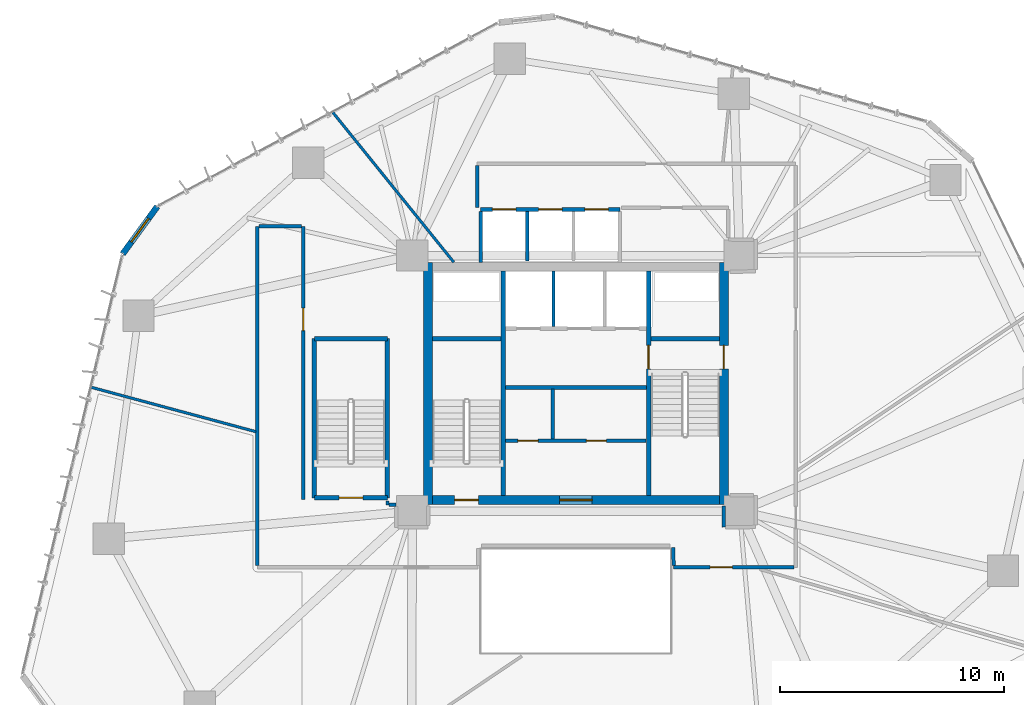
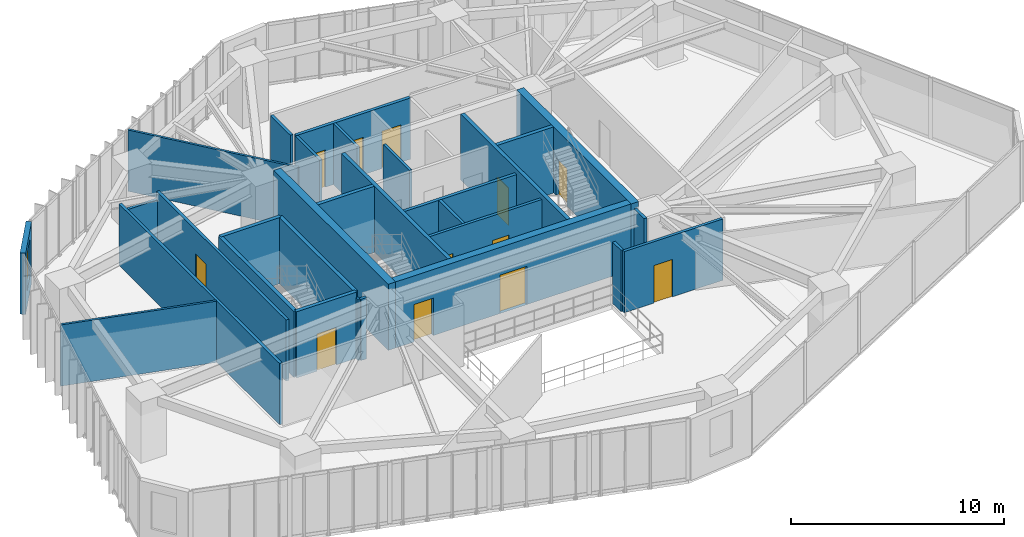
# One storey, part 19 of 24: 30 walls, 12 doors, 1 window, 13 openings.
"""IFC4 building model written with IfcOpenShell, lengths in metres."""

from ifc_helpers import new_model, si_unit, direction, frame, frame_2d, origin, place, context, subcontext, project, spatial, rectangle, extrude, source, transform, mapped, material, layer, layer_set, type_object, type_shapes, element, fill, save


model = new_model("IFC4")

# Units and contexts
model_context = context("Model", 3, precision=1e-05, world=origin(), true_north=direction((0.0, 1.0)))
body_context = subcontext(model_context, "Body", "Model", "MODEL_VIEW")
ifc_project = project(units=[si_unit("LENGTHUNIT", "METRE"), si_unit("AREAUNIT", "SQUARE_METRE"), si_unit("VOLUMEUNIT", "CUBIC_METRE"), si_unit("PLANEANGLEUNIT", "RADIAN"), si_unit("MASSUNIT", "GRAM", prefix="KILO")], contexts=[model_context])

# Site, building, storey
site_placement = place(None, origin())
site = spatial("IfcSite", under=ifc_project, at=site_placement, CompositionType="ELEMENT")
building_placement = place(site_placement, origin())
building = spatial("IfcBuilding", under=site, at=building_placement, Name="Talar Marvaseh", CompositionType="ELEMENT")
storey_placement = place(building_placement, frame((0.0, 0.0, 43.0)))
storey = spatial("IfcBuildingStorey", under=building, at=storey_placement, Name="L10", CompositionType="ELEMENT", Elevation=43.0)

# Wall, opening, window
ifc_material_1 = material(Name="Precast concrete C45/55", Category="concrete")
ifc_layer_1 = layer(ifc_material_1, 0.27001953125)
ifc_layer_set_1 = layer_set([ifc_layer_1], Name="Precast concrete C45/55")
wall_type_1 = type_object("IfcWallType", Name="Chamfered Hexagonal Corner Pier Wall Z1 270", PredefinedType="SOLIDWALL", material=ifc_layer_set_1)
wall_1_placement = place(storey_placement, frame((5.794677734375, 36.968994140625, 0.0), z_axis=(0.0, 0.0, 1.0), x_axis=(0.589570825428, 0.807716684119, 0.0)))
wall_1 = element("IfcWall", 1, at=wall_1_placement, inside=storey, type_object=wall_type_1, Name="L10 Chamfered Corner Limestone Pier 2", PredefinedType="SOLIDWALL", context=body_context, shape_type="SweptSolid", body=[
    extrude(rectangle(XDim=2.623291015625, YDim=0.27001953125, at=frame_2d((1.3115234375, 0.0))), origin(), (0.0, 0.0, 1.0), 3.52001953125),
])
opening_1_placement = place(wall_1_placement, frame((0.662109375, 0.0, 0.89990234375)))
opening_1 = element("IfcOpeningElement", 2, at=opening_1_placement, cuts=wall_1, Name="Opening WN-CHM13", PredefinedType="OPENING", context=body_context, shape_type="SweptSolid", body=[
    extrude(rectangle(XDim=1.300048828125, YDim=2.14990234375, at=frame_2d((0.64990234375, 1.074951171875))), frame((0.0, 0.14501953125, 0.0), z_axis=(0.0, -1.0, 0.0), x_axis=(1.0, 0.0, 0.0)), (0.0, 0.0, 1.0), 0.2900390625),
])
ifc_material_2 = material(Name="Laminated Low-E Solar Glass", Category="glass")
window_type = type_object("IfcWindowType", Name="Zone 1 Chamfered Corner Slot Window 1300x2150", PartitioningType="SINGLE_PANEL", PredefinedType="WINDOW", material=ifc_material_2)
shared_shape_1 = source(origin(), body_context, "Body", "SweptSolid", [
    extrude(rectangle(XDim=1.300048828125, YDim=2.14990234375, at=frame_2d((0.64990234375, 1.074951171875))), frame((0.0, 0.030029296875, 0.0), z_axis=(0.0, -1.0, 0.0), x_axis=(1.0, 0.0, 0.0)), (0.0, 0.0, 1.0), 0.06005859375),
])
type_shapes(window_type, [shared_shape_1])
window_placement = place(opening_1_placement, origin())
window = element("IfcWindow", 3, at=window_placement, inside=storey, type_object=window_type, Name="L10 Chamfered Corner Slot Window", OverallHeight=2.14990234375, OverallWidth=1.300048828125, PartitioningType="SINGLE_PANEL", PredefinedType="WINDOW", context=body_context, shape_type="MappedRepresentation", body=[
    mapped(shared_shape_1, transform((0.0, 0.0, 0.0), x_axis=(1.0, 0.0, 0.0), y_axis=(0.0, 1.0, 0.0), z_axis=(0.0, 0.0, 1.0), scale=1.0)),
])
fill(opening_1, window)

# Wall, openings, doors
ifc_material_3 = material(Name="Gypsum Board Partition Assembly")
ifc_layer_2 = layer(ifc_material_3, 0.155029296875)
ifc_layer_set_2 = layer_set([ifc_layer_2], Name="Gypsum Board Partition Assembly")
wall_type_2 = type_object("IfcWallType", Name="Corridor Fire-Rated Acoustic Partition 155", PredefinedType="PARTITIONING", material=ifc_layer_set_2)
wall_2_placement = place(storey_placement, frame((22.865966796875, 28.639892578125, 0.0), z_axis=(0.0, 0.0, 1.0), x_axis=(1.0, 0.0, 0.0)))
wall_2 = element("IfcWall", 4, at=wall_2_placement, inside=storey, type_object=wall_type_2, Name="L10 Core BOH Partition", PredefinedType="PARTITIONING", context=body_context, shape_type="SweptSolid", body=[
    extrude(rectangle(XDim=6.26806640625, YDim=0.155029296875, at=frame_2d((3.134033203125, 0.0))), origin(), (0.0, 0.0, 1.0), 3.52001953125),
])
opening_2_placement = place(wall_2_placement, frame((0.550048828125, 0.0, 0.0)))
opening_2 = element("IfcOpeningElement", 5, at=opening_2_placement, cuts=wall_2, Name="Opening DR-BOH090", PredefinedType="OPENING", context=body_context, shape_type="SweptSolid", body=[
    extrude(rectangle(XDim=0.89990234375, YDim=2.10009765625, at=frame_2d((0.449951171875, 1.050048828125))), frame((0.0, 0.08740234375, 0.0), z_axis=(0.0, -1.0, 0.0), x_axis=(1.0, 0.0, 0.0)), (0.0, 0.0, 1.0), 0.175048828125),
])
opening_3_placement = place(wall_2_placement, frame((3.60009765625, 0.0, 0.0)))
opening_3 = element("IfcOpeningElement", 6, at=opening_3_placement, cuts=wall_2, Name="Opening DR-BOH090", PredefinedType="OPENING", context=body_context, shape_type="SweptSolid", body=[
    extrude(rectangle(XDim=0.89990234375, YDim=2.10009765625, at=frame_2d((0.449951171875, 1.050048828125))), frame((0.0, 0.08740234375, 0.0), z_axis=(0.0, -1.0, 0.0), x_axis=(1.0, 0.0, 0.0)), (0.0, 0.0, 1.0), 0.175048828125),
])
ifc_material_4 = material(Name="Fire-Rated Steel Door Leaf", Category="steel")
door_type_1 = type_object("IfcDoorType", Name="Core Back-of-House Service Door 900x2100", OperationType="NOTDEFINED", PredefinedType="DOOR", material=ifc_material_4)
shared_shape_2 = source(origin(), body_context, "Body", "SweptSolid", [
    extrude(rectangle(XDim=0.89990234375, YDim=2.10009765625, at=frame_2d((0.449951171875, 1.050048828125))), frame((0.0, 0.02490234375, 0.0), z_axis=(0.0, -1.0, 0.0), x_axis=(1.0, 0.0, 0.0)), (0.0, 0.0, 1.0), 0.050048828125),
])
type_shapes(door_type_1, [shared_shape_2])
door_1_placement = place(opening_2_placement, origin())
door_1 = element("IfcDoor", 7, at=door_1_placement, inside=storey, type_object=door_type_1, Name="L10 Cleaner Janitor Store Door", OperationType="SINGLE_SWING_LEFT", OverallHeight=2.10009765625, OverallWidth=0.89990234375, PredefinedType="DOOR", context=body_context, shape_type="MappedRepresentation", body=[
    mapped(shared_shape_2, transform((0.0, 0.0, 0.0), x_axis=(1.0, 0.0, 0.0), y_axis=(0.0, 1.0, 0.0), z_axis=(0.0, 0.0, 1.0), scale=1.0)),
])
fill(opening_2, door_1)
door_2_placement = place(opening_3_placement, origin())
door_2 = element("IfcDoor", 8, at=door_2_placement, inside=storey, type_object=door_type_1, Name="L10 Plant Core Electrical Meter Room Door", OperationType="SINGLE_SWING_RIGHT", OverallHeight=2.10009765625, OverallWidth=0.89990234375, PredefinedType="DOOR", context=body_context, shape_type="MappedRepresentation", body=[
    mapped(shared_shape_2, transform((0.0, 0.0, 0.0), x_axis=(1.0, 0.0, 0.0), y_axis=(0.0, 1.0, 0.0), z_axis=(0.0, 0.0, 1.0), scale=1.0)),
])
fill(opening_3, door_2)

# Wall
wall_3_placement = place(storey_placement, frame((24.97998046875, 28.719970703125, 0.0), z_axis=(0.0, 0.0, 1.0), x_axis=(0.0, 1.0, 0.0)))
element("IfcWall", 9, at=wall_3_placement, inside=storey, type_object=wall_type_2, Name="L10 Core BOH Partition", PredefinedType="PARTITIONING", context=body_context, shape_type="SweptSolid", body=[
    extrude(rectangle(XDim=2.219970703125, YDim=0.155029296875, at=frame_2d((1.10986328125, 0.0))), origin(), (0.0, 0.0, 1.0), 3.52001953125),
])

# Wall, opening, door
wall_4_placement = place(storey_placement, frame((13.85009765625, 38.199951171875, 0.0), z_axis=(0.0, 0.0, 1.0), x_axis=(0.0, -1.0, 0.0)))
wall_4 = element("IfcWall", 10, at=wall_4_placement, inside=storey, type_object=wall_type_2, Name="L10 Interior Partition Wall", PredefinedType="PARTITIONING", context=body_context, shape_type="SweptSolid", body=[
    extrude(rectangle(XDim=12.179931640625, YDim=0.155029296875, at=frame_2d((6.08984375, 0.0))), origin(), (0.0, 0.0, 1.0), 3.52001953125),
])
opening_4_placement = place(wall_4_placement, frame((3.644287109375, 0.0, 0.0)))
opening_4 = element("IfcOpeningElement", 11, at=opening_4_placement, cuts=wall_4, Name="Opening DR-RM100", PredefinedType="OPENING", context=body_context, shape_type="SweptSolid", body=[
    extrude(rectangle(XDim=1.0, YDim=2.14990234375, at=frame_2d((0.5, 1.074951171875))), frame((0.0, 0.08740234375, 0.0), z_axis=(0.0, -1.0, 0.0), x_axis=(1.0, 0.0, 0.0)), (0.0, 0.0, 1.0), 0.175048828125),
])
ifc_material_5 = material(Name="Acoustic Engineered Oak Timber", Category="wood")
door_type_2 = type_object("IfcDoorType", Name="Corridor Fire-Rated Gallery Door 1000x2150", OperationType="NOTDEFINED", PredefinedType="DOOR", material=ifc_material_5)
shared_shape_3 = source(origin(), body_context, "Body", "SweptSolid", [
    extrude(rectangle(XDim=1.0, YDim=2.14990234375, at=frame_2d((0.5, 1.074951171875))), frame((0.0, 0.02490234375, 0.0), z_axis=(0.0, -1.0, 0.0), x_axis=(1.0, 0.0, 0.0)), (0.0, 0.0, 1.0), 0.050048828125),
])
type_shapes(door_type_2, [shared_shape_3])
door_3_placement = place(opening_4_placement, origin())
door_3 = element("IfcDoor", 12, at=door_3_placement, inside=storey, type_object=door_type_2, Name="L10 Chamber Recital Salon Door", OperationType="SINGLE_SWING_LEFT", OverallHeight=2.14990234375, OverallWidth=1.0, PredefinedType="DOOR", context=body_context, shape_type="MappedRepresentation", body=[
    mapped(shared_shape_3, transform((0.0, 0.0, 0.0), x_axis=(1.0, 0.0, 0.0), y_axis=(0.0, 1.0, 0.0), z_axis=(0.0, 0.0, 1.0), scale=1.0)),
])
fill(opening_4, door_3)

wall_5_placement = place(storey_placement, frame((35.716552734375, 23.0, 0.0), z_axis=(0.0, 0.0, 1.0), x_axis=(-1.0, 0.0, 0.0)))
wall_5 = element("IfcWall", 13, at=wall_5_placement, inside=storey, type_object=wall_type_2, Name="L10 Interior Partition Wall", PredefinedType="PARTITIONING", context=body_context, shape_type="SweptSolid", body=[
    extrude(rectangle(XDim=5.3564453125, YDim=0.155029296875, at=frame_2d((2.67822265625, 0.0))), origin(), (0.0, 0.0, 1.0), 3.52001953125),
])
opening_5_placement = place(wall_5_placement, frame((2.735107421875, 0.0, 0.0)))
opening_5 = element("IfcOpeningElement", 14, at=opening_5_placement, cuts=wall_5, Name="Opening DR-RM100", PredefinedType="OPENING", context=body_context, shape_type="SweptSolid", body=[
    extrude(rectangle(XDim=1.0, YDim=2.14990234375, at=frame_2d((0.5, 1.074951171875))), frame((0.0, 0.08740234375, 0.0), z_axis=(0.0, -1.0, 0.0), x_axis=(1.0, 0.0, 0.0)), (0.0, 0.0, 1.0), 0.175048828125),
])
door_4_placement = place(opening_5_placement, origin())
door_4 = element("IfcDoor", 15, at=door_4_placement, inside=storey, type_object=door_type_2, Name="L10 Seminar Room Door", OperationType="SINGLE_SWING_RIGHT", OverallHeight=2.14990234375, OverallWidth=1.0, PredefinedType="DOOR", context=body_context, shape_type="MappedRepresentation", body=[
    mapped(shared_shape_3, transform((0.0, 0.0, 0.0), x_axis=(1.0, 0.0, 0.0), y_axis=(0.0, 1.0, 0.0), z_axis=(0.0, 0.0, 1.0), scale=1.0)),
])
fill(opening_5, door_4)

# Walls
wall_6_placement = place(storey_placement, frame((11.800048828125, 23.08349609375, 0.0), z_axis=(0.0, 0.0, 1.0), x_axis=(0.0, 1.0, 0.0)))
element("IfcWall", 16, at=wall_6_placement, inside=storey, type_object=wall_type_2, Name="L10 Interior Partition Wall", PredefinedType="PARTITIONING", context=body_context, shape_type="SweptSolid", body=[
    extrude(rectangle(XDim=15.116455078125, YDim=0.155029296875, at=frame_2d((7.55810546875, 0.0))), origin(), (0.0, 0.0, 1.0), 3.52001953125),
])
wall_7_placement = place(storey_placement, frame((11.883544921875, 38.199951171875, 0.0), z_axis=(0.0, 0.0, 1.0), x_axis=(1.0, 0.0, 0.0)))
element("IfcWall", 17, at=wall_7_placement, inside=storey, type_object=wall_type_2, Name="L10 Interior Partition Wall", PredefinedType="PARTITIONING", context=body_context, shape_type="SweptSolid", body=[
    extrude(rectangle(XDim=1.883056640625, YDim=0.155029296875, at=frame_2d((0.94140625, 0.0))), origin(), (0.0, 0.0, 1.0), 3.08203125),
])
wall_8_placement = place(storey_placement, frame((17.666015625, 25.800048828125, 0.0), z_axis=(0.0, 0.0, 1.0), x_axis=(1.0, 0.0, 0.0)))
element("IfcWall", 18, at=wall_8_placement, inside=storey, type_object=wall_type_2, Name="L10 Interior Partition Wall", PredefinedType="PARTITIONING", context=body_context, shape_type="SweptSolid", body=[
    extrude(rectangle(XDim=0.319091796875, YDim=0.155029296875, at=frame_2d((0.15966796875, 0.0))), origin(), (0.0, 0.0, 1.0), 3.52001953125),
])
wall_9_placement = place(storey_placement, frame((32.5849609375, 25.72998046875, 0.0), z_axis=(0.0, 0.0, 1.0), x_axis=(0.007253695172, -0.999973691607, 0.0)))
element("IfcWall", 19, at=wall_9_placement, inside=storey, type_object=wall_type_2, Name="L10 Interior Partition Wall", PredefinedType="PARTITIONING", context=body_context, shape_type="SweptSolid", body=[
    extrude(rectangle(XDim=0.9423828125, YDim=0.155029296875, at=frame_2d((0.47119140625, 0.0))), origin(), (0.0, 0.0, 1.0), 3.52001953125),
])
wall_10_placement = place(storey_placement, frame((21.60009765625, 39.0400390625, 0.0), z_axis=(0.0, 0.0, 1.0), x_axis=(0.0, 1.0, 0.0)))
element("IfcWall", 20, at=wall_10_placement, inside=storey, type_object=wall_type_2, Name="L10 Interior Partition Wall", PredefinedType="PARTITIONING", context=body_context, shape_type="SweptSolid", body=[
    extrude(rectangle(XDim=1.87646484375, YDim=0.155029296875, at=frame_2d((0.938232421875, 0.0))), origin(), (0.0, 0.0, 1.0), 3.52001953125),
])
wall_11_placement = place(storey_placement, frame((30.358154296875, 23.08349609375, 0.0), z_axis=(0.0, 0.0, 1.0), x_axis=(-0.021573276475, 0.999767269789, 0.0)))
element("IfcWall", 21, at=wall_11_placement, inside=storey, type_object=wall_type_2, Name="L10 Interior Partition Wall", PredefinedType="PARTITIONING", context=body_context, shape_type="SweptSolid", body=[
    extrude(rectangle(XDim=0.792236328125, YDim=0.155029296875, at=frame_2d((0.39599609375, 0.0))), origin(), (0.0, 0.0, 1.0), 3.52001953125),
])
ifc_layer_3 = layer(ifc_material_3, 0.1201171875)
ifc_layer_set_3 = layer_set([ifc_layer_3], Name="Gypsum Board Partition Assembly")
wall_type_3 = type_object("IfcWallType", Name="Demountable Studio Room Partition 120", PredefinedType="PARTITIONING", material=ifc_layer_set_3)
wall_12_placement = place(storey_placement, frame((17.60009765625, 25.96240234375, 0.0), z_axis=(0.0, 0.0, 1.0), x_axis=(0.0, -1.0, 0.0)))
element("IfcWall", 22, at=wall_12_placement, inside=storey, type_object=wall_type_3, Name="L10 Interior Partition Wall", PredefinedType="PARTITIONING", context=body_context, shape_type="SweptSolid", body=[
    extrude(rectangle(XDim=0.1748046875, YDim=0.1201171875, at=frame_2d((0.08740234375, 0.0))), origin(), (0.0, 0.0, 1.0), 3.52001953125),
])
wall_13_placement = place(storey_placement, frame((4.3994140625, 31.02587890625, 0.0), z_axis=(0.0, 0.0, 1.0), x_axis=(0.965502770117, -0.260392781959, 0.0)))
element("IfcWall", 23, at=wall_13_placement, inside=storey, type_object=wall_type_3, Name="L10 Interior Partition Wall", PredefinedType="PARTITIONING", context=body_context, shape_type="SweptSolid", body=[
    extrude(rectangle(XDim=7.60009765625, YDim=0.1201171875, at=frame_2d((3.800048828125, 0.0))), origin(), (0.0, 0.0, 1.0), 3.52001953125),
])
wall_14_placement = place(storey_placement, frame((20.56005859375, 36.60009765625, 0.0), z_axis=(0.0, 0.0, 1.0), x_axis=(-0.628193514142, 0.778057137227, 0.0)))
element("IfcWall", 24, at=wall_14_placement, inside=storey, type_object=wall_type_3, Name="L10 Interior Partition Wall", PredefinedType="PARTITIONING", context=body_context, shape_type="SweptSolid", body=[
    extrude(rectangle(XDim=8.588623046875, YDim=0.1201171875, at=frame_2d((4.29443359375, 0.0))), origin(), (0.0, 0.0, 1.0), 3.52001953125),
])
ifc_layer_4 = layer(ifc_material_1, 0.14501953125)
ifc_layer_set_4 = layer_set([ifc_layer_4], Name="Precast concrete C45/55")
wall_type_4 = type_object("IfcWallType", Name="Fire-Rated Lift Divider Wall 145", PredefinedType="SOLIDWALL", material=ifc_layer_set_4)
wall_15_placement = place(storey_placement, frame((25.0, 33.743408203125, 0.0), z_axis=(0.0, 0.0, 1.0), x_axis=(0.0, 1.0, 0.0)))
element("IfcWall", 25, at=wall_15_placement, inside=storey, type_object=wall_type_4, Name="L10 FFL-1/FFL-2 Divider", PredefinedType="SOLIDWALL", context=body_context, shape_type="SweptSolid", body=[
    extrude(rectangle(XDim=2.45654296875, YDim=0.14501953125, at=frame_2d((1.228271484375, 0.0))), origin(), (0.0, 0.0, 1.0), 3.52001953125),
])
wall_16_placement = place(storey_placement, frame((21.760009765625, 36.60009765625, 0.0), z_axis=(0.0, 0.0, 1.0), x_axis=(0.0, 1.0, 0.0)))
element("IfcWall", 26, at=wall_16_placement, inside=storey, type_object=wall_type_4, Name="L10 Low-Rise Bank West Wall", PredefinedType="SOLIDWALL", context=body_context, shape_type="SweptSolid", body=[
    extrude(rectangle(XDim=2.266357421875, YDim=0.14501953125, at=frame_2d((1.13330078125, 0.0))), origin(), (0.0, 0.0, 1.0), 3.52001953125),
])
wall_17_placement = place(storey_placement, frame((23.830078125, 36.659912109375, 0.0), z_axis=(0.0, 0.0, 1.0), x_axis=(0.0, 1.0, 0.0)))
element("IfcWall", 27, at=wall_17_placement, inside=storey, type_object=wall_type_4, Name="L10 PL-L1/PL-L2 Divider", PredefinedType="SOLIDWALL", context=body_context, shape_type="SweptSolid", body=[
    extrude(rectangle(XDim=2.20654296875, YDim=0.14501953125, at=frame_2d((1.103271484375, 0.0))), origin(), (0.0, 0.0, 1.0), 3.52001953125),
])
ifc_layer_5 = layer(ifc_material_1, 0.175048828125)
ifc_layer_set_5 = layer_set([ifc_layer_5], Name="Precast concrete C45/55")
wall_type_5 = type_object("IfcWallType", Name="Fire-Rated Lift Hoistway Enclosure Wall 175", PredefinedType="SOLIDWALL", material=ifc_layer_set_5)
wall_18_placement = place(storey_placement, frame((22.860107421875, 31.02001953125, 0.0), z_axis=(0.0, 0.0, 1.0), x_axis=(1.0, 0.0, 0.0)))
element("IfcWall", 28, at=wall_18_placement, inside=storey, type_object=wall_type_5, Name="L10 Firefighting Lobby South Smoke Wall", PredefinedType="SOLIDWALL", context=body_context, shape_type="SweptSolid", body=[
    extrude(rectangle(XDim=6.27978515625, YDim=0.175048828125, at=frame_2d((3.139892578125, 0.0))), origin(), (0.0, 0.0, 1.0), 3.52001953125),
])

# Wall, openings, doors
wall_19_placement = place(storey_placement, frame((21.760009765625, 38.9599609375, 0.0), z_axis=(0.0, 0.0, 1.0), x_axis=(1.0, 0.0, 0.0)))
wall_19 = element("IfcWall", 29, at=wall_19_placement, inside=storey, type_object=wall_type_5, Name="L10 Low-Rise Lift Bank Front Wall", PredefinedType="SOLIDWALL", context=body_context, shape_type="SweptSolid", body=[
    extrude(rectangle(XDim=6.199951171875, YDim=0.175048828125, at=frame_2d((3.10009765625, 0.0))), origin(), (0.0, 0.0, 1.0), 3.52001953125),
])
opening_6_placement = place(wall_19_placement, frame((0.52001953125, 0.0, 0.0)))
opening_6 = element("IfcOpeningElement", 30, at=opening_6_placement, cuts=wall_19, Name="Opening LD-PLL1", PredefinedType="OPENING", context=body_context, shape_type="SweptSolid", body=[
    extrude(rectangle(XDim=1.050048828125, YDim=2.14990234375, at=frame_2d((0.52490234375, 1.074951171875))), frame((0.0, 0.09765625, 0.0), z_axis=(0.0, -1.0, 0.0), x_axis=(1.0, 0.0, 0.0)), (0.0, 0.0, 1.0), 0.195068359375),
])
opening_7_placement = place(wall_19_placement, frame((2.580078125, 0.0, 0.0)))
opening_7 = element("IfcOpeningElement", 31, at=opening_7_placement, cuts=wall_19, Name="Opening LD-PLL2", PredefinedType="OPENING", context=body_context, shape_type="SweptSolid", body=[
    extrude(rectangle(XDim=1.050048828125, YDim=2.14990234375, at=frame_2d((0.52490234375, 1.074951171875))), frame((0.0, 0.09765625, 0.0), z_axis=(0.0, -1.0, 0.0), x_axis=(1.0, 0.0, 0.0)), (0.0, 0.0, 1.0), 0.195068359375),
])
opening_8_placement = place(wall_19_placement, frame((4.639892578125, 0.0, 0.0)))
opening_8 = element("IfcOpeningElement", 32, at=opening_8_placement, cuts=wall_19, Name="Opening LD-PLL3", PredefinedType="OPENING", context=body_context, shape_type="SweptSolid", body=[
    extrude(rectangle(XDim=1.050048828125, YDim=2.14990234375, at=frame_2d((0.52490234375, 1.074951171875))), frame((0.0, 0.09765625, 0.0), z_axis=(0.0, -1.0, 0.0), x_axis=(1.0, 0.0, 0.0)), (0.0, 0.0, 1.0), 0.195068359375),
])
ifc_material_6 = material(Name="Stainless Steel Grade 316", Category="steel")
door_type_3 = type_object("IfcDoorType", Name="Automatic Sliding Lift Landing Door 1050x2150", OperationType="NOTDEFINED", PredefinedType="DOOR", material=ifc_material_6)
shared_shape_4 = source(origin(), body_context, "Body", "SweptSolid", [
    extrude(rectangle(XDim=1.050048828125, YDim=2.14990234375, at=frame_2d((0.52490234375, 1.074951171875))), frame((0.0, 0.02490234375, 0.0), z_axis=(0.0, -1.0, 0.0), x_axis=(1.0, 0.0, 0.0)), (0.0, 0.0, 1.0), 0.050048828125),
])
type_shapes(door_type_3, [shared_shape_4])
door_5_placement = place(opening_6_placement, origin())
door_5 = element("IfcDoor", 33, at=door_5_placement, inside=storey, type_object=door_type_3, Name="L10 Lift PL-L1 Sliding Landing Door", OperationType="SLIDING_TO_LEFT", OverallHeight=2.14990234375, OverallWidth=1.050048828125, PredefinedType="DOOR", context=body_context, shape_type="MappedRepresentation", body=[
    mapped(shared_shape_4, transform((0.0, 0.0, 0.0), x_axis=(1.0, 0.0, 0.0), y_axis=(0.0, 1.0, 0.0), z_axis=(0.0, 0.0, 1.0), scale=1.0)),
])
fill(opening_6, door_5)
door_6_placement = place(opening_7_placement, origin())
door_6 = element("IfcDoor", 34, at=door_6_placement, inside=storey, type_object=door_type_3, Name="L10 Lift PL-L2 Sliding Landing Door", OperationType="SLIDING_TO_LEFT", OverallHeight=2.14990234375, OverallWidth=1.050048828125, PredefinedType="DOOR", context=body_context, shape_type="MappedRepresentation", body=[
    mapped(shared_shape_4, transform((0.0, 0.0, 0.0), x_axis=(1.0, 0.0, 0.0), y_axis=(0.0, 1.0, 0.0), z_axis=(0.0, 0.0, 1.0), scale=1.0)),
])
fill(opening_7, door_6)
door_7_placement = place(opening_8_placement, origin())
door_7 = element("IfcDoor", 35, at=door_7_placement, inside=storey, type_object=door_type_3, Name="L10 Lift PL-L3 Sliding Landing Door", OperationType="SLIDING_TO_LEFT", OverallHeight=2.14990234375, OverallWidth=1.050048828125, PredefinedType="DOOR", context=body_context, shape_type="MappedRepresentation", body=[
    mapped(shared_shape_4, transform((0.0, 0.0, 0.0), x_axis=(1.0, 0.0, 0.0), y_axis=(0.0, 1.0, 0.0), z_axis=(0.0, 0.0, 1.0), scale=1.0)),
])
fill(opening_8, door_7)

# Wall
ifc_material_7 = material(Name="Concrete C70/85", Category="concrete")
ifc_layer_6 = layer(ifc_material_7, 0.39990234375)
ifc_layer_set_6 = layer_set([ifc_layer_6], Name="Concrete C70/85")
wall_type_6 = type_object("IfcWallType", Name="Lower Core Reinforced Concrete Shear Wall 400", PredefinedType="SHEAR", material=ifc_layer_set_6)
wall_20_placement = place(storey_placement, frame((19.39990234375, 25.800048828125, 0.0), z_axis=(0.0, 0.0, 1.0), x_axis=(0.0, 1.0, 0.0)))
element("IfcWall", 36, at=wall_20_placement, inside=storey, type_object=wall_type_6, Name="L10 West Core Shear Wall", PredefinedType="SHEAR", context=body_context, shape_type="SweptSolid", body=[
    extrude(rectangle(XDim=10.800048828125, YDim=0.39990234375, at=frame_2d((5.39990234375, 0.0))), origin(), (0.0, 0.0, 1.0), 3.800048828125),
])

# Wall, opening, door
wall_21_placement = place(storey_placement, frame((32.60009765625, 36.60009765625, 0.0), z_axis=(0.0, 0.0, 1.0), x_axis=(0.0, -1.0, 0.0)))
wall_21 = element("IfcWall", 37, at=wall_21_placement, inside=storey, type_object=wall_type_6, Name="L10 East Core Shear Wall", PredefinedType="SHEAR", context=body_context, shape_type="SweptSolid", body=[
    extrude(rectangle(XDim=10.800048828125, YDim=0.39990234375, at=frame_2d((5.39990234375, 0.0))), origin(), (0.0, 0.0, 1.0), 3.800048828125),
])
opening_9_placement = place(wall_21_placement, frame((3.699951171875, 0.0, 0.0)))
opening_9 = element("IfcOpeningElement", 38, at=opening_9_placement, cuts=wall_21, Name="Opening DR-ST105", PredefinedType="OPENING", context=body_context, shape_type="SweptSolid", body=[
    extrude(rectangle(XDim=1.050048828125, YDim=2.14990234375, at=frame_2d((0.52490234375, 1.074951171875))), frame((0.0, 0.2099609375, 0.0), z_axis=(0.0, -1.0, 0.0), x_axis=(1.0, 0.0, 0.0)), (0.0, 0.0, 1.0), 0.419921875),
])
door_type_4 = type_object("IfcDoorType", Name="Protected Exit Stair Fire Door 1050x2150", OperationType="NOTDEFINED", PredefinedType="DOOR", material=ifc_material_4)
shared_shape_5 = source(origin(), body_context, "Body", "SweptSolid", [
    extrude(rectangle(XDim=1.050048828125, YDim=2.14990234375, at=frame_2d((0.52490234375, 1.074951171875))), frame((0.0, 0.02490234375, 0.0), z_axis=(0.0, -1.0, 0.0), x_axis=(1.0, 0.0, 0.0)), (0.0, 0.0, 1.0), 0.050048828125),
])
type_shapes(door_type_4, [shared_shape_5])
door_8_placement = place(opening_9_placement, origin())
door_8 = element("IfcDoor", 39, at=door_8_placement, inside=storey, type_object=door_type_4, Name="L10 Stair ST-2 Corridor Exit Door", OperationType="SINGLE_SWING_LEFT", OverallHeight=2.14990234375, OverallWidth=1.050048828125, PredefinedType="DOOR", context=body_context, shape_type="MappedRepresentation", body=[
    mapped(shared_shape_5, transform((0.0, 0.0, 0.0), x_axis=(1.0, 0.0, 0.0), y_axis=(0.0, 1.0, 0.0), z_axis=(0.0, 0.0, 1.0), scale=1.0)),
])
fill(opening_9, door_8)

# Wall, openings, doors
wall_22_placement = place(storey_placement, frame((32.39990234375, 26.0, 0.0), z_axis=(0.0, 0.0, 1.0), x_axis=(-1.0, 0.0, 0.0)))
wall_22 = element("IfcWall", 40, at=wall_22_placement, inside=storey, type_object=wall_type_6, Name="L10 South Core Shear Wall", PredefinedType="SHEAR", context=body_context, shape_type="SweptSolid", body=[
    extrude(rectangle(XDim=12.7998046875, YDim=0.39990234375, at=frame_2d((6.39990234375, 0.0))), origin(), (0.0, 0.0, 1.0), 3.800048828125),
])
opening_10_placement = place(wall_22_placement, frame((10.75, 0.0, 0.0)))
opening_10 = element("IfcOpeningElement", 41, at=opening_10_placement, cuts=wall_22, Name="Opening DR-ST105", PredefinedType="OPENING", context=body_context, shape_type="SweptSolid", body=[
    extrude(rectangle(XDim=1.050048828125, YDim=2.14990234375, at=frame_2d((0.52490234375, 1.074951171875))), frame((0.0, 0.2099609375, 0.0), z_axis=(0.0, -1.0, 0.0), x_axis=(1.0, 0.0, 0.0)), (0.0, 0.0, 1.0), 0.419921875),
])
opening_11_placement = place(wall_22_placement, frame((5.669921875, 0.0, 0.0)))
opening_11 = element("IfcOpeningElement", 42, at=opening_11_placement, cuts=wall_22, Name="Opening DR-LBY145", PredefinedType="OPENING", context=body_context, shape_type="SweptSolid", body=[
    extrude(rectangle(XDim=1.449951171875, YDim=2.199951171875, at=frame_2d((0.72509765625, 1.10009765625))), frame((0.0, 0.2099609375, 0.0), z_axis=(0.0, -1.0, 0.0), x_axis=(1.0, 0.0, 0.0)), (0.0, 0.0, 1.0), 0.419921875),
])
door_9_placement = place(opening_10_placement, origin())
door_9 = element("IfcDoor", 43, at=door_9_placement, inside=storey, type_object=door_type_4, Name="L10 Stair ST-1 Exit Door", OperationType="SINGLE_SWING_RIGHT", OverallHeight=2.14990234375, OverallWidth=1.050048828125, PredefinedType="DOOR", context=body_context, shape_type="MappedRepresentation", body=[
    mapped(shared_shape_5, transform((0.0, 0.0, 0.0), x_axis=(1.0, 0.0, 0.0), y_axis=(0.0, 1.0, 0.0), z_axis=(0.0, 0.0, 1.0), scale=1.0)),
])
fill(opening_10, door_9)
door_type_5 = type_object("IfcDoorType", Name="Core Lift Lobby Double Smoke Door 1450x2200", OperationType="NOTDEFINED", PredefinedType="DOOR", material=ifc_material_4)
shared_shape_6 = source(origin(), body_context, "Body", "SweptSolid", [
    extrude(rectangle(XDim=1.449951171875, YDim=2.199951171875, at=frame_2d((0.72509765625, 1.10009765625))), frame((0.0, 0.02490234375, 0.0), z_axis=(0.0, -1.0, 0.0), x_axis=(1.0, 0.0, 0.0)), (0.0, 0.0, 1.0), 0.050048828125),
])
type_shapes(door_type_5, [shared_shape_6])
door_10_placement = place(opening_11_placement, origin())
door_10 = element("IfcDoor", 44, at=door_10_placement, inside=storey, type_object=door_type_5, Name="L10 Passenger Lift Lobby Entrance Door", OperationType="DOUBLE_DOOR_SINGLE_SWING", OverallHeight=2.199951171875, OverallWidth=1.449951171875, PredefinedType="DOOR", context=body_context, shape_type="MappedRepresentation", body=[
    mapped(shared_shape_6, transform((0.0, 0.0, 0.0), x_axis=(1.0, 0.0, 0.0), y_axis=(0.0, 1.0, 0.0), z_axis=(0.0, 0.0, 1.0), scale=1.0)),
])
fill(opening_11, door_10)

# Wall
ifc_material_8 = material(Name="Concrete C50/60", Category="concrete")
ifc_layer_7 = layer(ifc_material_8, 0.199951171875)
ifc_layer_set_7 = layer_set([ifc_layer_7], Name="Concrete C50/60")
wall_type_7 = type_object("IfcWallType", Name="Stair Shaft Structural Concrete Shear Wall 200", PredefinedType="SHEAR", material=ifc_layer_set_7)
wall_23_placement = place(storey_placement, frame((22.760009765625, 26.199951171875, 0.0), z_axis=(0.0, 0.0, 1.0), x_axis=(0.0, 1.0, 0.0)))
element("IfcWall", 45, at=wall_23_placement, inside=storey, type_object=wall_type_7, Name="L10 Core West Stair Shear Wall", PredefinedType="SHEAR", context=body_context, shape_type="SweptSolid", body=[
    extrude(rectangle(XDim=10.0, YDim=0.199951171875, at=frame_2d((5.0, 0.0))), origin(), (0.0, 0.0, 1.0), 3.800048828125),
])

# Wall, opening, door
wall_24_placement = place(storey_placement, frame((29.239990234375, 26.199951171875, 0.0), z_axis=(0.0, 0.0, 1.0), x_axis=(0.0, 1.0, 0.0)))
wall_24 = element("IfcWall", 46, at=wall_24_placement, inside=storey, type_object=wall_type_7, Name="L10 Core East Stair Shear Wall", PredefinedType="SHEAR", context=body_context, shape_type="SweptSolid", body=[
    extrude(rectangle(XDim=10.0, YDim=0.199951171875, at=frame_2d((5.0, 0.0))), origin(), (0.0, 0.0, 1.0), 3.800048828125),
])
opening_12_placement = place(wall_24_placement, frame((5.64990234375, 0.0, 0.0)))
opening_12 = element("IfcOpeningElement", 47, at=opening_12_placement, cuts=wall_24, Name="Opening DR-ST105", PredefinedType="OPENING", context=body_context, shape_type="SweptSolid", body=[
    extrude(rectangle(XDim=1.050048828125, YDim=2.14990234375, at=frame_2d((0.52490234375, 1.074951171875))), frame((0.0, 0.10986328125, 0.0), z_axis=(0.0, -1.0, 0.0), x_axis=(1.0, 0.0, 0.0)), (0.0, 0.0, 1.0), 0.219970703125),
])
door_11_placement = place(opening_12_placement, origin())
door_11 = element("IfcDoor", 48, at=door_11_placement, inside=storey, type_object=door_type_4, Name="L10 Firefighting Lobby to Stair ST-2 Door", OperationType="SINGLE_SWING_LEFT", OverallHeight=2.14990234375, OverallWidth=1.050048828125, PredefinedType="DOOR", context=body_context, shape_type="MappedRepresentation", body=[
    mapped(shared_shape_5, transform((0.0, 0.0, 0.0), x_axis=(1.0, 0.0, 0.0), y_axis=(0.0, 1.0, 0.0), z_axis=(0.0, 0.0, 1.0), scale=1.0)),
])
fill(opening_12, door_11)

# Walls
for number, where, z_axis, x_axis, name in (
    (49, (19.60009765625, 33.199951171875, 0.0), (0.0, 0.0, 1.0), (1.0, 0.0, 0.0), "L10 Stair ST-1 North Shear Wall"),
    (50, (29.340087890625, 33.199951171875, 0.0), (0.0, 0.0, 1.0), (1.0, 0.0, 0.0), "L10 Stair ST-2 North Shear Wall"),
):
    element("IfcWall", number, at=place(storey_placement, frame(where, z_axis=z_axis, x_axis=x_axis)), inside=storey, type_object=wall_type_7, Name=name, PredefinedType="SHEAR", context=body_context, shape_type="SweptSolid", body=[
        extrude(rectangle(XDim=3.059814453125, YDim=0.199951171875, at=frame_2d((1.52978515625, 0.0))), origin(), (0.0, 0.0, 1.0), 3.800048828125),
    ])

# Wall, opening, door
wall_25_placement = place(storey_placement, frame((17.60009765625, 26.10009765625, 0.0), z_axis=(0.0, 0.0, 1.0), x_axis=(-1.0, 0.0, 0.0)))
wall_25 = element("IfcWall", 51, at=wall_25_placement, inside=storey, type_object=wall_type_7, Name="L10 Stair ST-3 South Shear Wall", PredefinedType="SHEAR", context=body_context, shape_type="SweptSolid", body=[
    extrude(rectangle(XDim=3.260009765625, YDim=0.199951171875, at=frame_2d((1.6298828125, 0.0))), origin(), (0.0, 0.0, 1.0), 3.800048828125),
])
opening_13_placement = place(wall_25_placement, frame((1.10009765625, 0.0, 0.0)))
opening_13 = element("IfcOpeningElement", 52, at=opening_13_placement, cuts=wall_25, Name="Opening DR-ST105", PredefinedType="OPENING", context=body_context, shape_type="SweptSolid", body=[
    extrude(rectangle(XDim=1.050048828125, YDim=2.14990234375, at=frame_2d((0.52490234375, 1.074951171875))), frame((0.0, 0.10986328125, 0.0), z_axis=(0.0, -1.0, 0.0), x_axis=(1.0, 0.0, 0.0)), (0.0, 0.0, 1.0), 0.219970703125),
])
door_12_placement = place(opening_13_placement, origin())
door_12 = element("IfcDoor", 53, at=door_12_placement, inside=storey, type_object=door_type_4, Name="L10 Stair ST-3 Exit Door", OperationType="SINGLE_SWING_LEFT", OverallHeight=2.14990234375, OverallWidth=1.050048828125, PredefinedType="DOOR", context=body_context, shape_type="MappedRepresentation", body=[
    mapped(shared_shape_5, transform((0.0, 0.0, 0.0), x_axis=(1.0, 0.0, 0.0), y_axis=(0.0, 1.0, 0.0), z_axis=(0.0, 0.0, 1.0), scale=1.0)),
])
fill(opening_13, door_12)

# Walls
wall_26_placement = place(storey_placement, frame((14.340087890625, 33.199951171875, 0.0), z_axis=(0.0, 0.0, 1.0), x_axis=(1.0, 0.0, 0.0)))
element("IfcWall", 54, at=wall_26_placement, inside=storey, type_object=wall_type_7, Name="L10 Stair ST-3 North Shear Wall", PredefinedType="SHEAR", context=body_context, shape_type="SweptSolid", body=[
    extrude(rectangle(XDim=3.260009765625, YDim=0.199951171875, at=frame_2d((1.6298828125, 0.0))), origin(), (0.0, 0.0, 1.0), 3.800048828125),
])
for number, where, z_axis, x_axis, name in (
    (55, (14.340087890625, 26.10009765625, 0.0), (0.0, 0.0, 1.0), (0.0, 1.0, 0.0), "L10 Stair ST-3 West Shear Wall"),
    (56, (17.60009765625, 26.10009765625, 0.0), (0.0, 0.0, 1.0), (0.0, 1.0, 0.0), "L10 Stair ST-3 East Shear Wall"),
):
    element("IfcWall", number, at=place(storey_placement, frame(where, z_axis=z_axis, x_axis=x_axis)), inside=storey, type_object=wall_type_7, Name=name, PredefinedType="SHEAR", context=body_context, shape_type="SweptSolid", body=[
        extrude(rectangle(XDim=7.099853515625, YDim=0.199951171875, at=frame_2d((3.5498046875, 0.0))), origin(), (0.0, 0.0, 1.0), 3.800048828125),
    ])

save(model, "model.ifc")
